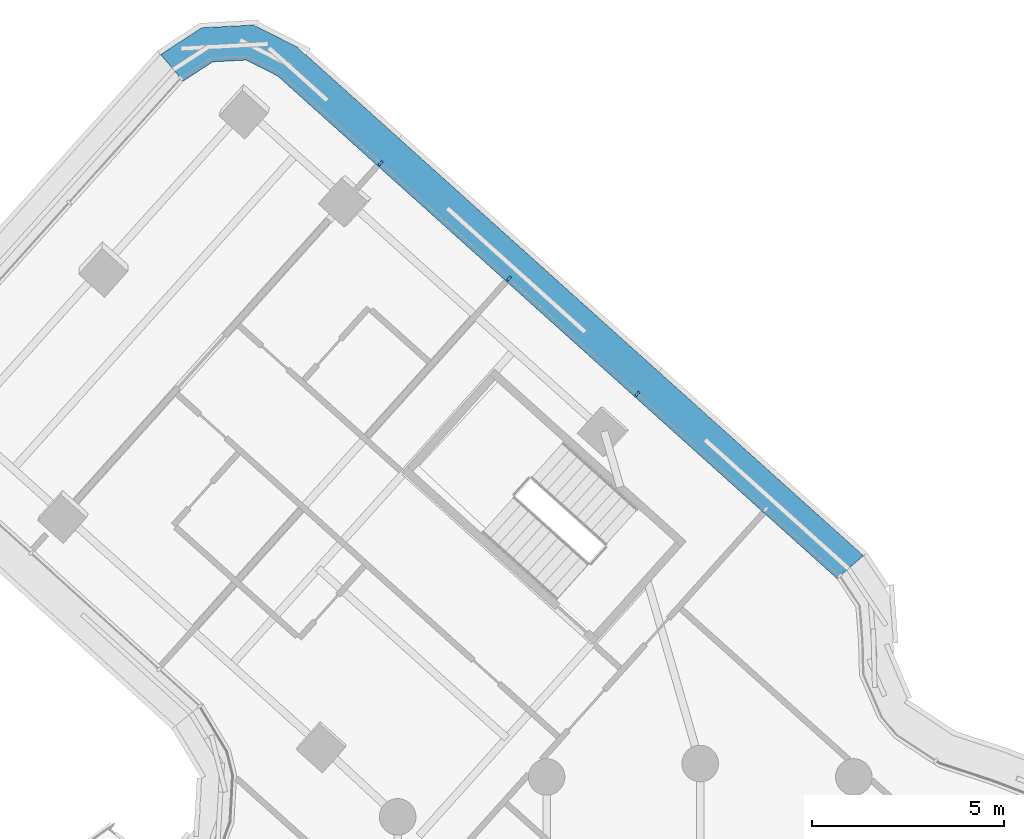
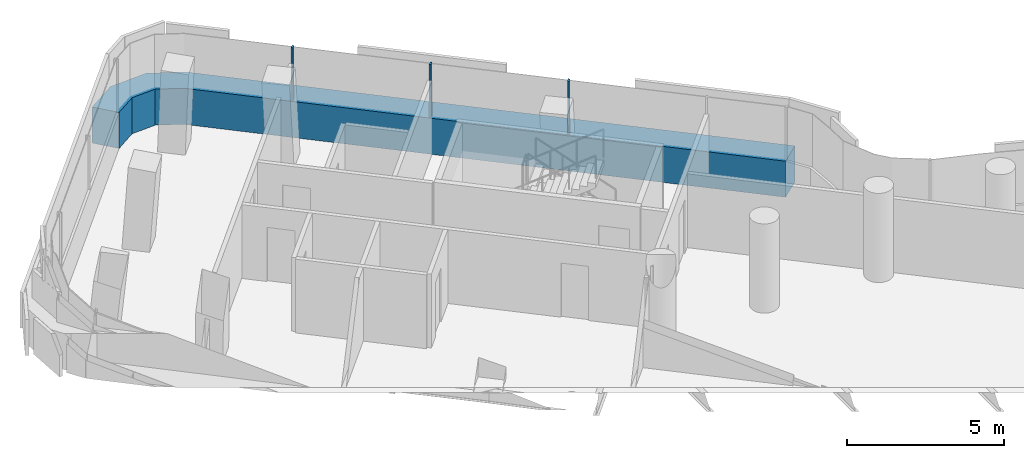
# One storey, part 15 of 31: 4 members, 1 element without a shape of its own.
"""IFC4 building model written with IfcOpenShell, lengths in metres."""

from ifc_helpers import new_model, si_unit, direction, frame, origin, origin_2d, place, context, subcontext, project, spatial, polyline, rectangle, outline, extrude, material, layer, layer_set, material_profile, profile_set, type_object, element, aggregate, save


model = new_model("IFC4")

# Units and contexts
model_context = context("Model", 3, precision=1e-05, world=origin(), true_north=direction((0.0, 1.0)))
body_context = subcontext(model_context, "Body", "Model", "MODEL_VIEW")
ifc_project = project(units=[si_unit("LENGTHUNIT", "METRE"), si_unit("AREAUNIT", "SQUARE_METRE"), si_unit("VOLUMEUNIT", "CUBIC_METRE"), si_unit("PLANEANGLEUNIT", "RADIAN"), si_unit("MASSUNIT", "GRAM", prefix="KILO")], contexts=[model_context])

# Site, building, storey
site_placement = place(None, origin())
site = spatial("IfcSite", under=ifc_project, at=site_placement, CompositionType="ELEMENT")
building_placement = place(site_placement, origin())
building = spatial("IfcBuilding", under=site, at=building_placement, Name="Tamarind Cross Interchange Tower", CompositionType="ELEMENT")
storey_placement = place(building_placement, frame((0.0, 0.0, 207.699951171875)))
storey = spatial("IfcBuildingStorey", under=building, at=storey_placement, Name="L52", CompositionType="ELEMENT", Elevation=207.699951171875)

# Curtain wall, members
ifc_material_1 = material(Name="Aluminium 6063-T6", Category="aluminium")
ifc_layer = layer(ifc_material_1, 0.139892578125)
ifc_layer_set = layer_set([ifc_layer], Name="Aluminium 6063-T6")
curtain_wall_type = type_object("IfcCurtainWallType", Name="Hotel curtain wall, 4.5 m bays", PredefinedType="NOTDEFINED", material=ifc_layer_set)
curtain_wall_placement = place(storey_placement, origin())
curtain_wall = element("IfcCurtainWall", 1, at=curtain_wall_placement, inside=storey, type_object=curtain_wall_type, Name="CWS-L52-07", PredefinedType="NOTDEFINED")
ifc_material_2 = material(Name="Aluminium and insulated spandrel panel", Category="aluminium")
member_type_1 = type_object("IfcMemberType", Name="Floor-edge blade transom", PredefinedType="USERDEFINED", material=ifc_material_2)
member_1_placement = place(storey_placement, origin())
member_1 = element("IfcMember", 2, at=member_1_placement, type_object=member_type_1, Name="CWT-L52-07", ObjectType="TRANSOM", PredefinedType="USERDEFINED", context=body_context, shape_type="SweptSolid", body=[
    extrude(outline(polyline([(3.557373046875, 27.810791015625), (-10.985107421875, 40.876953125), (-11.801025390625, 41.291748046875), (-12.67431640625, 41.2451171875), (-13.441650390625, 40.74560546875), (-14.031982421875, 41.435302734375), (-12.96337890625, 42.130859375), (-11.6083984375, 42.203369140625), (-10.4716796875, 41.625732421875), (4.24462890625, 28.4033203125), (3.557373046875, 27.810791015625)])), origin(), (0.0, 0.0, 1.0), 1.400146484375),
])
ifc_material_profile = material_profile(ifc_material_1, rectangle(XDim=0.06005859375, YDim=0.139892578125, at=origin_2d()), Name="Mullion CW2")
ifc_profile_set = profile_set([ifc_material_profile], Name="Aluminium 6063-T6")
member_type_2 = type_object("IfcMemberType", Name="Mullion CW2", PredefinedType="MULLION", material=ifc_profile_set)
member_2_placement = place(storey_placement, frame((-1.63427734375, 32.60986328125, 1.400146484375), z_axis=(0.0, 0.0, 1.0), x_axis=(-0.743854461689, 0.668341634065, 0.0)))
member_2 = element("IfcMember", 3, at=member_2_placement, type_object=member_type_2, Name="CWM-L52-07-02", PredefinedType="MULLION", context=body_context, shape_type="SweptSolid", body=[
    extrude(rectangle(XDim=0.06005859375, YDim=0.139892578125, at=origin_2d()), origin(), (0.0, 0.0, 1.0), 2.059814453125),
])
member_3_placement = place(storey_placement, frame((-4.972900390625, 35.609619140625, 1.400146484375), z_axis=(0.0, 0.0, 1.0), x_axis=(-0.743854461689, 0.668341634065, 0.0)))
member_3 = element("IfcMember", 4, at=member_3_placement, type_object=member_type_2, Name="CWM-L52-07-03", PredefinedType="MULLION", context=body_context, shape_type="SweptSolid", body=[
    extrude(rectangle(XDim=0.06005859375, YDim=0.139892578125, at=origin_2d()), origin(), (0.0, 0.0, 1.0), 2.059814453125),
])
member_4_placement = place(storey_placement, frame((-8.311279296875, 38.609130859375, 1.400146484375), z_axis=(0.0, 0.0, 1.0), x_axis=(-0.743854461689, 0.668341634065, 0.0)))
member_4 = element("IfcMember", 5, at=member_4_placement, type_object=member_type_2, Name="CWM-L52-07-04", PredefinedType="MULLION", context=body_context, shape_type="SweptSolid", body=[
    extrude(rectangle(XDim=0.06005859375, YDim=0.139892578125, at=origin_2d()), origin(), (0.0, 0.0, 1.0), 2.059814453125),
])
aggregate(curtain_wall, [member_2, member_3, member_4, member_1])

save(model, "model.ifc")
